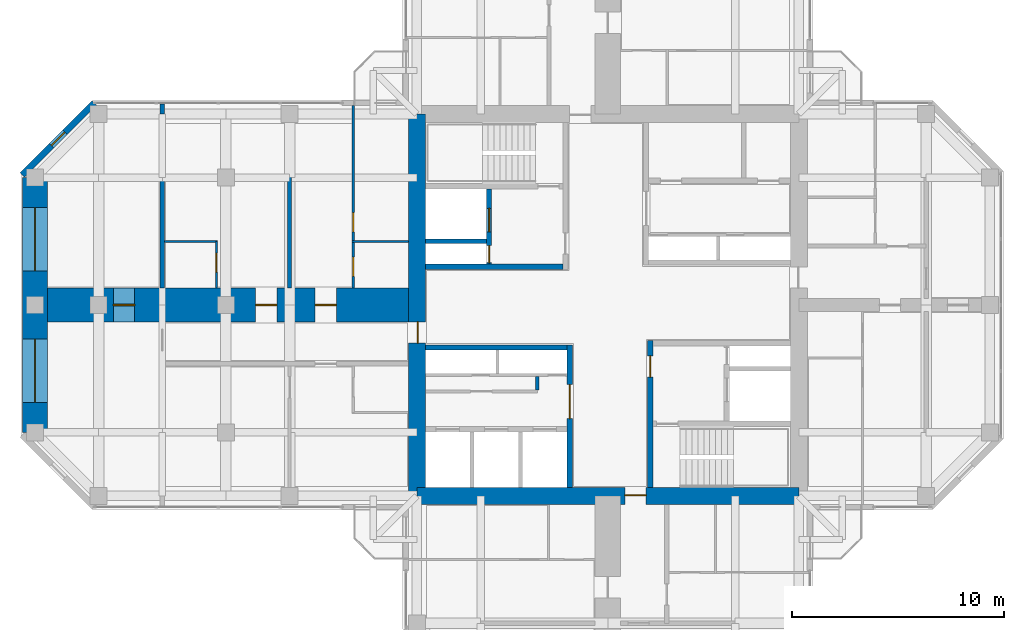
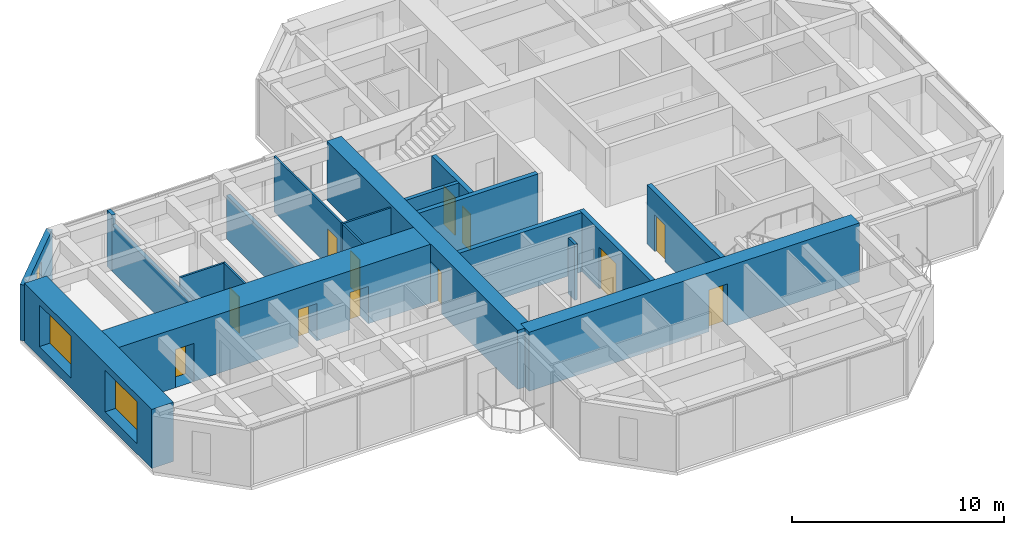
# One storey, part 9 of 13: 19 walls, 12 doors, 3 windows, 15 openings.
"""IFC4 building model written with IfcOpenShell, lengths in metres."""

import ifcopenshell
import ifcopenshell.guid

model = None  # the IFC model being written
_history = None  # IfcOwnerHistory: only IFC2X3 demands one
_inside = {}  # id of a spatial element -> (the spatial element, [elements in it])
_under = {}  # id of a project, library or spatial element -> (it, [spatial elements below it])
_declared = {}  # id of a project -> (the project, [libraries it declares])
_typed = {}  # id of a type object -> (the type object, [elements of that type])
_made_of = {}  # id of a material, layer set ... -> (it, [elements and type objects made of it])


def new_model(schema):
    """Start an empty IFC model of exactly this schema.

    Asked for "IFC4X3", IfcOpenShell would pick the latest addendum, in which some entities
    have other attributes; the version numbers below select the first issue.
    IFC2X3 requires an IfcOwnerHistory on every rooted entity: one is made here for all.
    """
    global model, _history
    if schema == "IFC4X3":
        model = ifcopenshell.file(schema_version=(4, 3, 0, 0))
    else:
        model = ifcopenshell.file(schema=schema)
    _inside.clear()
    _under.clear()
    _declared.clear()
    _typed.clear()
    _made_of.clear()
    _history = None
    if model.schema == "IFC2X3":
        org = make("IfcOrganization", Name="unknown")
        user = make(
            "IfcPersonAndOrganization",
            ThePerson=make("IfcPerson", FamilyName="unknown"),
            TheOrganization=org,
        )
        app = make(
            "IfcApplication",
            ApplicationDeveloper=org,
            Version="unknown",
            ApplicationFullName="unknown",
            ApplicationIdentifier="unknown",
        )
        _history = make(
            "IfcOwnerHistory",
            OwningUser=user,
            OwningApplication=app,
            ChangeAction="ADDED",
            CreationDate=0,
        )
    return model


def make(cls, **values):
    """One entity of the class cls with the attributes given. An attribute that is None is left unset."""
    return model.create_entity(
        cls, **{name: value for name, value in values.items() if value is not None}
    )


def rooted(cls, **values):
    """An entity with a GlobalId (a new one), such as an element, a storey or a relation."""
    return make(cls, GlobalId=ifcopenshell.guid.new(), OwnerHistory=_history, **values)


def si_unit(unit_type, name, prefix=None):
    """IfcSIUnit, for example si_unit("LENGTHUNIT", "METRE", prefix="MILLI")."""
    return make("IfcSIUnit", UnitType=unit_type, Prefix=prefix, Name=name)


def assignment(units):
    """IfcUnitAssignment: the units of a project."""
    return None if units is None else make("IfcUnitAssignment", Units=units)


def point(xyz):
    """IfcCartesianPoint."""
    return None if xyz is None else make("IfcCartesianPoint", Coordinates=xyz)


def direction(xyz):
    """IfcDirection."""
    return None if xyz is None else make("IfcDirection", DirectionRatios=xyz)


def frame(location, z_axis=None, x_axis=None):
    """IfcAxis2Placement3D, a coordinate frame: its origin and axes. An axis left out is left unset."""
    return make(
        "IfcAxis2Placement3D",
        Location=point(location),
        Axis=direction(z_axis),
        RefDirection=direction(x_axis),
    )


def frame_2d(location, x_axis=None):
    """IfcAxis2Placement2D, a coordinate frame in the plane: its origin and x axis."""
    return make(
        "IfcAxis2Placement2D", Location=point(location), RefDirection=direction(x_axis)
    )


def origin():
    """The frame at (0, 0, 0) with its axes left unset."""
    return frame((0.0, 0.0, 0.0))


def place(relative_to, where):
    """IfcLocalPlacement: puts the frame where relative to a parent placement (None: the world)."""
    return make(
        "IfcLocalPlacement", PlacementRelTo=relative_to, RelativePlacement=where
    )


def context(
    kind, dimensions, precision=None, world=None, true_north=None, identifier=None
):
    """IfcGeometricRepresentationContext, for example the 3D "Model" context."""
    return make(
        "IfcGeometricRepresentationContext",
        ContextIdentifier=identifier,
        ContextType=kind,
        CoordinateSpaceDimension=dimensions,
        Precision=precision,
        WorldCoordinateSystem=world,
        TrueNorth=true_north,
    )


def subcontext(parent, identifier, kind, view, scale=None):
    """IfcGeometricRepresentationSubContext, for example "Body" below "Model"."""
    return make(
        "IfcGeometricRepresentationSubContext",
        ContextIdentifier=identifier,
        ContextType=kind,
        ParentContext=parent,
        TargetScale=scale,
        TargetView=view,
    )


def project(units=None, contexts=None):
    """IfcProject with its units and contexts."""
    return rooted(
        "IfcProject",
        Name="project",
        RepresentationContexts=contexts,
        UnitsInContext=assignment(units),
    )


def spatial(cls, under=None, at=None, **own):
    """A site, building, storey or space (cls), placed at a placement, below another one or the project."""
    s = rooted(cls, ObjectPlacement=at, **own)
    if under is not None:
        _under.setdefault(under.id(), (under, []))[1].append(s)
    return s


def profile(cls, at=None, kind="AREA", **sizes):
    """A parametric profile (cls). Its sizes go by their IFC names, for example OverallWidth=200.0."""
    return make(cls, ProfileType=kind, Position=at, **sizes)


def rectangle(**sizes):
    """IfcRectangleProfileDef."""
    return profile("IfcRectangleProfileDef", **sizes)


def hollow_rectangle(**sizes):
    """IfcRectangleHollowProfileDef."""
    return profile("IfcRectangleHollowProfileDef", **sizes)


def extrude(swept, where, along, depth):
    """IfcExtrudedAreaSolid: the profile swept, set in the frame where, extruded along a direction by depth."""
    return make(
        "IfcExtrudedAreaSolid",
        SweptArea=swept,
        Position=where,
        ExtrudedDirection=direction(along),
        Depth=depth,
    )


def shape(context_of_items, identifier, shape_type, items):
    """IfcShapeRepresentation: the items that make up one representation, for example the "Body"."""
    return make(
        "IfcShapeRepresentation",
        ContextOfItems=context_of_items,
        RepresentationIdentifier=identifier,
        RepresentationType=shape_type,
        Items=items,
    )


def material(Name=None, Category=None):
    """IfcMaterial."""
    return make("IfcMaterial", Name=Name, Category=Category)


def layer(
    of_material, thickness, ventilated=None, Name=None, Category=None, Priority=None
):
    """IfcMaterialLayer: one layer of a wall or slab, of a material (None: an air gap)."""
    return make(
        "IfcMaterialLayer",
        Material=of_material,
        LayerThickness=thickness,
        IsVentilated=ventilated,
        Name=Name,
        Category=Category,
        Priority=Priority,
    )


def layer_set(layers, Name=None):
    """IfcMaterialLayerSet."""
    return make("IfcMaterialLayerSet", MaterialLayers=layers, LayerSetName=Name)


def constituent(of_material, Name=None, Category=None, fraction=None):
    """IfcMaterialConstituent: one of the materials an element consists of."""
    return make(
        "IfcMaterialConstituent",
        Name=Name,
        Material=of_material,
        Fraction=fraction,
        Category=Category,
    )


def constituent_set(constituents=None, Name=None):
    """IfcMaterialConstituentSet."""
    return make(
        "IfcMaterialConstituentSet", Name=Name, MaterialConstituents=constituents
    )


def made_of(thing, what):
    """Note that an element or type object is made of a material, layer set ...; save() writes the relation."""
    if what is not None:
        _made_of.setdefault(what.id(), (what, []))[1].append(thing)
    return thing


def type_object(cls, material=None, **own):
    """A type object (cls), such as IfcWallType, which elements share."""
    return made_of(rooted(cls, **own), material)


def element(
    cls,
    number,
    at=None,
    inside=None,
    cuts=None,
    type_object=None,
    material=None,
    context=None,
    identifier="Body",
    shape_type=None,
    held_by="IfcProductDefinitionShape",
    body=None,
    shapes=None,
    **own,
):
    """One element of the class cls, such as IfcWall. Its Tag is "e" and its number.

    at: its placement. inside: the storey or other place that contains it. cuts: it is an
    opening in that element (IfcRelVoidsElement). A single representation is given by context,
    identifier, shape_type and body (its items); several are given by shapes. held_by: the class
    of the entity that holds the representations. save() writes the other relations.
    """
    e = rooted(cls, Tag="e%d" % number, ObjectPlacement=at, **own)
    if body is not None:
        shapes = [shape(context, identifier, shape_type, body)]
    if shapes is not None:
        e.Representation = make(held_by, Representations=shapes)
    if inside is not None:
        _inside.setdefault(inside.id(), (inside, []))[1].append(e)
    if cuts is not None:
        rooted(
            "IfcRelVoidsElement", RelatingBuildingElement=cuts, RelatedOpeningElement=e
        )
    if type_object is not None:
        _typed.setdefault(type_object.id(), (type_object, []))[1].append(e)
    return made_of(e, material)


def fill(opening, filler):
    """IfcRelFillsElement: the door or window that sits in an opening."""
    return rooted(
        "IfcRelFillsElement",
        RelatingOpeningElement=opening,
        RelatedBuildingElement=filler,
    )


def aggregate(whole, parts):
    """IfcRelAggregates: a whole, such as a stair, and the parts it consists of."""
    return rooted("IfcRelAggregates", RelatingObject=whole, RelatedObjects=parts)


def save(model, path):
    """Write the relations noted so far, then the file.

    IfcRelAggregates (storeys below a building ...), IfcRelContainedInSpatialStructure (elements
    in a storey), IfcRelDefinesByType, IfcRelAssociatesMaterial and IfcRelDeclares: one each for
    every whole, place, type object, material and project.
    """
    for whole, parts in _under.values():
        aggregate(whole, parts)
    for where, things in _inside.values():
        rooted(
            "IfcRelContainedInSpatialStructure",
            RelatedElements=things,
            RelatingStructure=where,
        )
    for kind, things in _typed.values():
        rooted("IfcRelDefinesByType", RelatedObjects=things, RelatingType=kind)
    for what, things in _made_of.values():
        rooted("IfcRelAssociatesMaterial", RelatedObjects=things, RelatingMaterial=what)
    for by, libraries in _declared.values():
        rooted("IfcRelDeclares", RelatingContext=by, RelatedDefinitions=libraries)
    model.write(path)


model = new_model("IFC4")

# Units and contexts
model_context = context("Model", 3, precision=1e-05, world=origin(), true_north=direction((0.0, 1.0)))
body_context = subcontext(model_context, "Body", "Model", "MODEL_VIEW")
ifc_project = project(units=[si_unit("LENGTHUNIT", "METRE"), si_unit("AREAUNIT", "SQUARE_METRE"), si_unit("VOLUMEUNIT", "CUBIC_METRE"), si_unit("PLANEANGLEUNIT", "RADIAN"), si_unit("MASSUNIT", "GRAM", prefix="KILO")], contexts=[model_context])

# Site, building, storey
site_placement = place(None, origin())
site = spatial("IfcSite", under=ifc_project, at=site_placement, CompositionType="ELEMENT")
building_placement = place(site_placement, origin())
building = spatial("IfcBuilding", under=site, at=building_placement, Name="Torre Cruceta", CompositionType="ELEMENT")
storey_placement = place(building_placement, frame((0.0, 0.0, 235.699951171875)))
storey = spatial("IfcBuildingStorey", under=building, at=storey_placement, Name="L60", CompositionType="ELEMENT", Elevation=235.699951171875)

# Wall
ifc_material_1 = material(Name="Water-resistant plasterboard on steel studs", Category="steel")
ifc_layer_1 = layer(ifc_material_1, 0.10009765625)
ifc_layer_set_1 = layer_set([ifc_layer_1], Name="Water-resistant plasterboard on steel studs")
wall_type_1 = type_object("IfcWallType", Name="BATHROOM WALL 100", PredefinedType="PARTITIONING", material=ifc_layer_set_1)
wall_1_placement = place(storey_placement, frame((-9.39990234375, 3.0, 0.0), z_axis=(0.0, 0.0, 1.0), x_axis=(-1.0, 0.0, 0.0)))
element("IfcWall", 1, at=wall_1_placement, inside=storey, type_object=wall_type_1, Name="PT4 L60-W-U1RBB", PredefinedType="PARTITIONING", context=body_context, shape_type="SweptSolid", body=[
    extrude(rectangle(XDim=2.650146484375, YDim=0.10009765625, at=frame_2d((1.3251953125, 0.0))), origin(), (0.0, 0.0, 1.0), 3.219970703125),
])

# Wall, openings, doors
wall_2_placement = place(storey_placement, frame((-12.0, 9.39501953125, 0.0), z_axis=(0.0, 0.0, 1.0), x_axis=(0.0, -1.0, 0.0)))
wall_2 = element("IfcWall", 2, at=wall_2_placement, inside=storey, type_object=wall_type_1, Name="PT4 L60-W-U1RBS", PredefinedType="PARTITIONING", context=body_context, shape_type="SweptSolid", body=[
    extrude(rectangle(XDim=8.594970703125, YDim=0.10009765625, at=frame_2d((4.29736328125, 0.0))), origin(), (0.0, 0.0, 1.0), 3.219970703125),
])
opening_1_placement = place(wall_2_placement, frame((5.044921875, 0.0, 0.0)))
opening_1 = element("IfcOpeningElement", 3, at=opening_1_placement, cuts=wall_2, Name="Opening D7", PredefinedType="OPENING", context=body_context, shape_type="SweptSolid", body=[
    extrude(rectangle(XDim=0.89990234375, YDim=2.10009765625, at=frame_2d((0.449951171875, 1.050048828125))), frame((0.0, 0.06005859375, 0.0), z_axis=(0.0, -1.0, 0.0), x_axis=(1.0, 0.0, 0.0)), (0.0, 0.0, 1.0), 0.1201171875),
])
opening_2_placement = place(wall_2_placement, frame((7.14501953125, 0.0, 0.0)))
opening_2 = element("IfcOpeningElement", 4, at=opening_2_placement, cuts=wall_2, Name="Opening D7", PredefinedType="OPENING", context=body_context, shape_type="SweptSolid", body=[
    extrude(rectangle(XDim=0.89990234375, YDim=2.10009765625, at=frame_2d((0.449951171875, 1.050048828125))), frame((0.0, 0.06005859375, 0.0), z_axis=(0.0, -1.0, 0.0), x_axis=(1.0, 0.0, 0.0)), (0.0, 0.0, 1.0), 0.1201171875),
])
ifc_material_2 = material(Name="Timber door", Category="wood")
door_type_1 = type_object("IfcDoorType", Name="BATHROOM DOOR 900X2100", OperationType="SINGLE_SWING_LEFT", PredefinedType="DOOR", material=ifc_material_2)
door_1_placement = place(opening_1_placement, origin())
door_1 = element("IfcDoor", 5, at=door_1_placement, inside=storey, type_object=door_type_1, Name="D7 L60-W-U1RBS-D1", OperationType="SINGLE_SWING_RIGHT", OverallHeight=2.10009765625, OverallWidth=0.89990234375, PredefinedType="DOOR", context=body_context, shape_type="SweptSolid", body=[
    extrude(rectangle(XDim=0.89990234375, YDim=2.10009765625, at=frame_2d((0.449951171875, 1.050048828125))), frame((0.0, 0.02490234375, 0.0), z_axis=(0.0, -1.0, 0.0), x_axis=(1.0, 0.0, 0.0)), (0.0, 0.0, 1.0), 0.050048828125),
])
fill(opening_1, door_1)
door_2_placement = place(opening_2_placement, origin())
door_2 = element("IfcDoor", 6, at=door_2_placement, inside=storey, type_object=door_type_1, Name="D7 L60-W-U1RBS-D2", OperationType="SINGLE_SWING_RIGHT", OverallHeight=2.10009765625, OverallWidth=0.89990234375, PredefinedType="DOOR", context=body_context, shape_type="SweptSolid", body=[
    extrude(rectangle(XDim=0.89990234375, YDim=2.10009765625, at=frame_2d((0.449951171875, 1.050048828125))), frame((0.0, 0.02490234375, 0.0), z_axis=(0.0, -1.0, 0.0), x_axis=(1.0, 0.0, 0.0)), (0.0, 0.0, 1.0), 0.050048828125),
])
fill(opening_2, door_2)

# Wall
wall_3_placement = place(storey_placement, frame((-18.39990234375, 3.0, 0.0), z_axis=(0.0, 0.0, 1.0), x_axis=(-1.0, 0.0, 0.0)))
element("IfcWall", 7, at=wall_3_placement, inside=storey, type_object=wall_type_1, Name="PT4 L60-W-U2RBB", PredefinedType="PARTITIONING", context=body_context, shape_type="SweptSolid", body=[
    extrude(rectangle(XDim=2.5, YDim=0.10009765625, at=frame_2d((1.25, 0.0))), origin(), (0.0, 0.0, 1.0), 3.219970703125),
])

# Wall, opening, door
wall_4_placement = place(storey_placement, frame((-18.449951171875, 3.0, 0.0), z_axis=(0.0, 0.0, 1.0), x_axis=(0.0, -1.0, 0.0)))
wall_4 = element("IfcWall", 8, at=wall_4_placement, inside=storey, type_object=wall_type_1, Name="PT4 L60-W-U2RBS", PredefinedType="PARTITIONING", context=body_context, shape_type="SweptSolid", body=[
    extrude(rectangle(XDim=2.199951171875, YDim=0.10009765625, at=frame_2d((1.10009765625, 0.0))), origin(), (0.0, 0.0, 1.0), 3.219970703125),
])
opening_3_placement = place(wall_4_placement, frame((0.550048828125, 0.0, 0.0)))
opening_3 = element("IfcOpeningElement", 9, at=opening_3_placement, cuts=wall_4, Name="Opening D7", PredefinedType="OPENING", context=body_context, shape_type="SweptSolid", body=[
    extrude(rectangle(XDim=0.89990234375, YDim=2.10009765625, at=frame_2d((0.449951171875, 1.050048828125))), frame((0.0, 0.06005859375, 0.0), z_axis=(0.0, -1.0, 0.0), x_axis=(1.0, 0.0, 0.0)), (0.0, 0.0, 1.0), 0.1201171875),
])
door_3_placement = place(opening_3_placement, frame((0.89990234375, 0.0, 0.0), z_axis=(0.0, 0.0, 1.0), x_axis=(-1.0, 0.0, 0.0)))
door_3 = element("IfcDoor", 10, at=door_3_placement, inside=storey, type_object=door_type_1, Name="D7 L60-W-U2RBS-D1", OperationType="SINGLE_SWING_RIGHT", OverallHeight=2.10009765625, OverallWidth=0.89990234375, PredefinedType="DOOR", context=body_context, shape_type="SweptSolid", body=[
    extrude(rectangle(XDim=0.89990234375, YDim=2.10009765625, at=frame_2d((0.449951171875, 1.050048828125))), frame((0.0, 0.025146484375, 0.0), z_axis=(0.0, -1.0, 0.0), x_axis=(1.0, 0.0, 0.0)), (0.0, 0.0, 1.0), 0.050048828125),
])
fill(opening_3, door_3)

# Wall
ifc_material_3 = material(Name="Concrete G60 (fck 60 MPa)", Category="concrete")
ifc_layer_2 = layer(ifc_material_3, 0.25)
ifc_layer_set_2 = layer_set([ifc_layer_2], Name="Concrete G60 (fck 60 MPa)")
wall_type_2 = type_object("IfcWallType", Name="CORE INNER WALL 250 G60", PredefinedType="SHEAR", material=ifc_layer_set_2)
wall_5_placement = place(storey_placement, frame((-2.125, 1.800048828125, 0.0), z_axis=(0.0, 0.0, 1.0), x_axis=(-1.0, 0.0, 0.0)))
element("IfcWall", 11, at=wall_5_placement, inside=storey, type_object=wall_type_2, Name="CW4 L60 NW-CV", PredefinedType="SHEAR", context=body_context, shape_type="SweptSolid", body=[
    extrude(rectangle(XDim=6.47509765625, YDim=0.25, at=frame_2d((3.237548828125, 0.0))), origin(), (0.0, 0.0, 1.0), 3.400146484375),
])

# Wall, openings, doors
wall_6_placement = place(storey_placement, frame((-5.60009765625, 1.925048828125, 0.0), z_axis=(0.0, 0.0, 1.0), x_axis=(0.0, 1.0, 0.0)))
wall_6 = element("IfcWall", 12, at=wall_6_placement, inside=storey, type_object=wall_type_2, Name="CW4 L60 NW-FU", PredefinedType="SHEAR", context=body_context, shape_type="SweptSolid", body=[
    extrude(rectangle(XDim=3.550048828125, YDim=0.25, at=frame_2d((1.77490234375, 0.0))), origin(), (0.0, 0.0, 1.0), 3.400146484375),
])
opening_4_placement = place(wall_6_placement, frame((1.52490234375, 0.0, 0.0)))
opening_4 = element("IfcOpeningElement", 13, at=opening_4_placement, cuts=wall_6, Name="Opening LD1", PredefinedType="OPENING", context=body_context, shape_type="SweptSolid", body=[
    extrude(rectangle(XDim=1.10009765625, YDim=2.199951171875, at=frame_2d((0.550048828125, 1.10009765625))), frame((0.0, 0.135009765625, 0.0), z_axis=(0.0, -1.0, 0.0), x_axis=(1.0, 0.0, 0.0)), (0.0, 0.0, 1.0), 0.27001953125),
])
opening_5_placement = place(wall_6_placement, frame((0.074951171875, 0.0, 0.0)))
opening_5 = element("IfcOpeningElement", 14, at=opening_5_placement, cuts=wall_6, Name="Opening D5", PredefinedType="OPENING", context=body_context, shape_type="SweptSolid", body=[
    extrude(rectangle(XDim=0.800048828125, YDim=2.10009765625, at=frame_2d((0.39990234375, 1.050048828125))), frame((0.0, 0.135009765625, 0.0), z_axis=(0.0, -1.0, 0.0), x_axis=(1.0, 0.0, 0.0)), (0.0, 0.0, 1.0), 0.27001953125),
])
ifc_material_4 = material(Name="Stainless steel 1.4401", Category="steel")
door_type_2 = type_object("IfcDoorType", Name="LIFT LANDING DOOR 1100X2200", OperationType="DOUBLE_DOOR_SLIDING", PredefinedType="DOOR", material=ifc_material_4)
door_4_placement = place(opening_4_placement, origin())
door_4 = element("IfcDoor", 15, at=door_4_placement, inside=storey, type_object=door_type_2, Name="Lift landing door FL1", OperationType="DOUBLE_DOOR_SLIDING", OverallHeight=2.199951171875, OverallWidth=1.10009765625, PredefinedType="DOOR", context=body_context, shape_type="SweptSolid", body=[
    extrude(rectangle(XDim=1.10009765625, YDim=2.199951171875, at=frame_2d((0.550048828125, 1.10009765625))), frame((0.0, 0.02490234375, 0.0), z_axis=(0.0, -1.0, 0.0), x_axis=(1.0, 0.0, 0.0)), (0.0, 0.0, 1.0), 0.050048828125),
])
fill(opening_4, door_4)
ifc_material_5 = material(Name="Steel DX51D", Category="steel")
ifc_constituent_1 = constituent(ifc_material_5, Name="Leaf and frame")
ifc_material_6 = material(Name="Polyester powder coating", Category="paint")
ifc_constituent_2 = constituent(ifc_material_6, Name="Finish")
ifc_constituent_set_1 = constituent_set(constituents=[ifc_constituent_1, ifc_constituent_2], Name="Steel fire door")
door_type_3 = type_object("IfcDoorType", Name="RISER ACCESS DOOR 800X2100", OperationType="SINGLE_SWING_LEFT", PredefinedType="DOOR", material=ifc_constituent_set_1)
door_5_placement = place(opening_5_placement, origin())
door_5 = element("IfcDoor", 16, at=door_5_placement, inside=storey, type_object=door_type_3, Name="D5 L60 NW-RISER", OperationType="SINGLE_SWING_LEFT", OverallHeight=2.10009765625, OverallWidth=0.800048828125, PredefinedType="DOOR", context=body_context, shape_type="SweptSolid", body=[
    extrude(rectangle(XDim=0.800048828125, YDim=2.10009765625, at=frame_2d((0.39990234375, 1.050048828125))), frame((0.0, 0.02490234375, 0.0), z_axis=(0.0, -1.0, 0.0), x_axis=(1.0, 0.0, 0.0)), (0.0, 0.0, 1.0), 0.050048828125),
])
fill(opening_5, door_5)

# Wall, opening, door
wall_7_placement = place(storey_placement, frame((-1.800048828125, -1.875, 0.0), z_axis=(0.0, 0.0, 1.0), x_axis=(0.0, -1.0, 0.0)))
wall_7 = element("IfcWall", 17, at=wall_7_placement, inside=storey, type_object=wall_type_2, Name="CW4 L60 SW-CU", PredefinedType="SHEAR", context=body_context, shape_type="SweptSolid", body=[
    extrude(rectangle(XDim=6.72509765625, YDim=0.25, at=frame_2d((3.362548828125, 0.0))), origin(), (0.0, 0.0, 1.0), 3.400146484375),
])
opening_6_placement = place(wall_7_placement, frame((1.875, 0.0, 0.0)))
opening_6 = element("IfcOpeningElement", 18, at=opening_6_placement, cuts=wall_7, Name="Opening D8", PredefinedType="OPENING", context=body_context, shape_type="SweptSolid", body=[
    extrude(rectangle(XDim=1.60009765625, YDim=2.39990234375, at=frame_2d((0.800048828125, 1.199951171875))), frame((0.0, 0.135009765625, 0.0), z_axis=(0.0, -1.0, 0.0), x_axis=(1.0, 0.0, 0.0)), (0.0, 0.0, 1.0), 0.27001953125),
])
ifc_material_7 = material(Name="Steel DX51D", Category="steel")
ifc_constituent_3 = constituent(ifc_material_7, Name="Leaf and frame")
ifc_material_8 = material(Name="Polyester powder coating", Category="paint")
ifc_constituent_4 = constituent(ifc_material_8, Name="Finish")
ifc_material_9 = material(Name="Fire-resisting glass", Category="glass")
ifc_constituent_5 = constituent(ifc_material_9, Name="Vision panel")
ifc_constituent_set_2 = constituent_set(constituents=[ifc_constituent_3, ifc_constituent_4, ifc_constituent_5], Name="Steel fire door with vision panels")
door_type_4 = type_object("IfcDoorType", Name="LIFT LOBBY DOUBLE DOOR 1600X2400", OperationType="DOUBLE_DOOR_DOUBLE_SWING", PredefinedType="DOOR", material=ifc_constituent_set_2)
door_6_placement = place(opening_6_placement, origin())
door_6 = element("IfcDoor", 19, at=door_6_placement, inside=storey, type_object=door_type_4, Name="D8 L60 SW-LOBBY", OperationType="DOUBLE_DOOR_DOUBLE_SWING", OverallHeight=2.39990234375, OverallWidth=1.60009765625, PredefinedType="DOOR", context=body_context, shape_type="SweptSolid", body=[
    extrude(rectangle(XDim=1.60009765625, YDim=2.39990234375, at=frame_2d((0.800048828125, 1.199951171875))), frame((0.0, 0.02490234375, 0.0), z_axis=(0.0, -1.0, 0.0), x_axis=(1.0, 0.0, 0.0)), (0.0, 0.0, 1.0), 0.050048828125),
])
fill(opening_6, door_6)

# Wall
wall_8_placement = place(storey_placement, frame((-1.925048828125, -2.0, 0.0), z_axis=(0.0, 0.0, 1.0), x_axis=(-1.0, 0.0, 0.0)))
element("IfcWall", 20, at=wall_8_placement, inside=storey, type_object=wall_type_2, Name="CW4 L60 SW-CV", PredefinedType="SHEAR", context=body_context, shape_type="SweptSolid", body=[
    extrude(rectangle(XDim=6.675048828125, YDim=0.25, at=frame_2d((3.33740234375, 0.0))), origin(), (0.0, 0.0, 1.0), 3.400146484375),
])

# Wall, opening, door
wall_9_placement = place(storey_placement, frame((2.0, -1.675048828125, 0.0), z_axis=(0.0, 0.0, 1.0), x_axis=(0.0, -1.0, 0.0)))
wall_9 = element("IfcWall", 21, at=wall_9_placement, inside=storey, type_object=wall_type_2, Name="CW4 L60 SE-CU", PredefinedType="SHEAR", context=body_context, shape_type="SweptSolid", body=[
    extrude(rectangle(XDim=6.925048828125, YDim=0.25, at=frame_2d((3.46240234375, 0.0))), origin(), (0.0, 0.0, 1.0), 3.400146484375),
])
opening_7_placement = place(wall_9_placement, frame((0.72509765625, 0.0, 0.0)))
opening_7 = element("IfcOpeningElement", 22, at=opening_7_placement, cuts=wall_9, Name="Opening D3", PredefinedType="OPENING", context=body_context, shape_type="SweptSolid", body=[
    extrude(rectangle(XDim=1.0, YDim=2.10009765625, at=frame_2d((0.5, 1.050048828125))), frame((0.0, 0.135009765625, 0.0), z_axis=(0.0, -1.0, 0.0), x_axis=(1.0, 0.0, 0.0)), (0.0, 0.0, 1.0), 0.27001953125),
])
ifc_material_10 = material(Name="Steel DX51D", Category="steel")
ifc_constituent_6 = constituent(ifc_material_10, Name="Leaf and frame")
ifc_material_11 = material(Name="Polyester powder coating", Category="paint")
ifc_constituent_7 = constituent(ifc_material_11, Name="Finish")
ifc_constituent_set_3 = constituent_set(constituents=[ifc_constituent_6, ifc_constituent_7], Name="Steel fire door")
door_type_5 = type_object("IfcDoorType", Name="FIRE DOOR 1000X2100", OperationType="SINGLE_SWING_LEFT", PredefinedType="DOOR", material=ifc_constituent_set_3)
door_7_placement = place(opening_7_placement, origin())
door_7 = element("IfcDoor", 23, at=door_7_placement, inside=storey, type_object=door_type_5, Name="D3 L60 SE-LOBBY", OperationType="SINGLE_SWING_LEFT", OverallHeight=2.10009765625, OverallWidth=1.0, PredefinedType="DOOR", context=body_context, shape_type="SweptSolid", body=[
    extrude(rectangle(XDim=1.0, YDim=2.10009765625, at=frame_2d((0.5, 1.050048828125))), frame((0.0, 0.02490234375, 0.0), z_axis=(0.0, -1.0, 0.0), x_axis=(1.0, 0.0, 0.0)), (0.0, 0.0, 1.0), 0.050048828125),
])
fill(opening_7, door_7)

ifc_material_12 = material(Name="Concrete G60 (fck 60 MPa)", Category="concrete")
ifc_layer_3 = layer(ifc_material_12, 0.800048828125)
ifc_layer_set_3 = layer_set([ifc_layer_3], Name="Concrete G60 (fck 60 MPa)")
wall_type_3 = type_object("IfcWallType", Name="CORE WALL 800 G60", PredefinedType="SHEAR", material=ifc_layer_set_3)
wall_10_placement = place(storey_placement, frame((-9.0, -9.0, 0.0), z_axis=(0.0, 0.0, 1.0), x_axis=(1.0, 0.0, 0.0)))
wall_10 = element("IfcWall", 24, at=wall_10_placement, inside=storey, type_object=wall_type_3, Name="CW3 L60 CW-S", PredefinedType="SHEAR", context=body_context, shape_type="SweptSolid", body=[
    extrude(rectangle(XDim=18.0, YDim=0.800048828125, at=frame_2d((9.0, 0.0))), origin(), (0.0, 0.0, 1.0), 3.400146484375),
])
opening_8_placement = place(wall_10_placement, frame((9.800048828125, 0.0, 0.0)))
opening_8 = element("IfcOpeningElement", 25, at=opening_8_placement, cuts=wall_10, Name="Opening D4", PredefinedType="OPENING", context=body_context, shape_type="SweptSolid", body=[
    extrude(rectangle(XDim=1.0, YDim=2.39990234375, at=frame_2d((0.5, 1.199951171875))), frame((0.0, 0.409912109375, 0.0), z_axis=(0.0, -1.0, 0.0), x_axis=(1.0, 0.0, 0.0)), (0.0, 0.0, 1.0), 0.820068359375),
])
ifc_material_13 = material(Name="Steel DX51D", Category="steel")
ifc_constituent_8 = constituent(ifc_material_13, Name="Leaf and frame")
ifc_material_14 = material(Name="Polyester powder coating", Category="paint")
ifc_constituent_9 = constituent(ifc_material_14, Name="Finish")
ifc_constituent_set_4 = constituent_set(constituents=[ifc_constituent_8, ifc_constituent_9], Name="Steel fire door")
door_type_6 = type_object("IfcDoorType", Name="CORE ARM DOOR 1000X2400", OperationType="SINGLE_SWING_RIGHT", PredefinedType="DOOR", material=ifc_constituent_set_4)
door_8_placement = place(opening_8_placement, origin())
door_8 = element("IfcDoor", 26, at=door_8_placement, inside=storey, type_object=door_type_6, Name="D4 L60 CW-S", OperationType="SINGLE_SWING_RIGHT", OverallHeight=2.39990234375, OverallWidth=1.0, PredefinedType="DOOR", context=body_context, shape_type="SweptSolid", body=[
    extrude(rectangle(XDim=1.0, YDim=2.39990234375, at=frame_2d((0.5, 1.199951171875))), frame((0.0, 0.05517578125, 0.0), z_axis=(0.0, -1.0, 0.0), x_axis=(1.0, 0.0, 0.0)), (0.0, 0.0, 1.0), 0.050048828125),
])
fill(opening_8, door_8)

wall_11_placement = place(storey_placement, frame((-9.0, 9.0, 0.0), z_axis=(0.0, 0.0, 1.0), x_axis=(0.0, -1.0, 0.0)))
wall_11 = element("IfcWall", 27, at=wall_11_placement, inside=storey, type_object=wall_type_3, Name="CW3 L60 CW-W", PredefinedType="SHEAR", context=body_context, shape_type="SweptSolid", body=[
    extrude(rectangle(XDim=18.0, YDim=0.800048828125, at=frame_2d((9.0, 0.0))), origin(), (0.0, 0.0, 1.0), 3.400146484375),
])
opening_9_placement = place(wall_11_placement, frame((9.800048828125, 0.0, 0.0)))
opening_9 = element("IfcOpeningElement", 28, at=opening_9_placement, cuts=wall_11, Name="Opening D4", PredefinedType="OPENING", context=body_context, shape_type="SweptSolid", body=[
    extrude(rectangle(XDim=1.0, YDim=2.39990234375, at=frame_2d((0.5, 1.199951171875))), frame((0.0, 0.409912109375, 0.0), z_axis=(0.0, -1.0, 0.0), x_axis=(1.0, 0.0, 0.0)), (0.0, 0.0, 1.0), 0.820068359375),
])
door_9_placement = place(opening_9_placement, origin())
door_9 = element("IfcDoor", 29, at=door_9_placement, inside=storey, type_object=door_type_6, Name="D4 L60 CW-W", OperationType="SINGLE_SWING_RIGHT", OverallHeight=2.39990234375, OverallWidth=1.0, PredefinedType="DOOR", context=body_context, shape_type="SweptSolid", body=[
    extrude(rectangle(XDim=1.0, YDim=2.39990234375, at=frame_2d((0.5, 1.199951171875))), frame((0.0, 0.05517578125, 0.0), z_axis=(0.0, -1.0, 0.0), x_axis=(1.0, 0.0, 0.0)), (0.0, 0.0, 1.0), 0.050048828125),
])
fill(opening_9, door_9)

# Wall, opening, window
ifc_material_15 = material(Name="Concrete G30 (fck 30 MPa)", Category="concrete")
ifc_layer_4 = layer(ifc_material_15, 0.300048828125)
ifc_layer_set_4 = layer_set([ifc_layer_4], Name="Concrete G30 (fck 30 MPa)")
wall_type_4 = type_object("IfcWallType", Name="EXPOSED CONCRETE FACADE WALL 300", PredefinedType="SOLIDWALL", material=ifc_layer_set_4)
wall_12_placement = place(storey_placement, frame((-24.21533203125, 9.52001953125, 0.0), z_axis=(0.0, 0.0, 1.0), x_axis=(-0.707132283189, -0.707081278264, 0.0)))
wall_12 = element("IfcWall", 30, at=wall_12_placement, inside=storey, type_object=wall_type_4, Name="EW1 facade wall L60 W chamfer 11", PredefinedType="SOLIDWALL", context=body_context, shape_type="SweptSolid", body=[
    extrude(rectangle(XDim=4.78662109375, YDim=0.300048828125, at=frame_2d((2.393310546875, 0.0))), origin(), (0.0, 0.0, 1.0), 3.219970703125),
])
opening_10_placement = place(wall_12_placement, frame((1.943359375, 0.0, 0.300048828125)))
opening_10 = element("IfcOpeningElement", 31, at=opening_10_placement, cuts=wall_12, Name="Opening WN5", PredefinedType="OPENING", context=body_context, shape_type="SweptSolid", body=[
    extrude(rectangle(XDim=0.89990234375, YDim=2.39990234375, at=frame_2d((0.449951171875, 1.199951171875))), frame((0.0, 0.159912109375, 0.0), z_axis=(0.0, -1.0, 0.0), x_axis=(1.0, 0.0, 0.0)), (0.0, 0.0, 1.0), 0.320068359375),
])
ifc_material_16 = material(Name="Aluminium window frame", Category="aluminium")
ifc_constituent_10 = constituent(ifc_material_16, Name="Frame")
ifc_material_17 = material(Name="Laminated insulating glass unit, low-iron clear", Category="glass")
ifc_constituent_11 = constituent(ifc_material_17, Name="Glazing")
ifc_constituent_set_5 = constituent_set(constituents=[ifc_constituent_10, ifc_constituent_11], Name="Aluminium window")
window_type_1 = type_object("IfcWindowType", Name="CHAMFER SLOT WINDOW 900X2400", PartitioningType="SINGLE_PANEL", PredefinedType="WINDOW", material=ifc_constituent_set_5)
window_1_placement = place(opening_10_placement, origin())
window_1 = element("IfcWindow", 32, at=window_1_placement, inside=storey, type_object=window_type_1, Name="WN5 L60 W 1", OverallHeight=2.39990234375, OverallWidth=0.89990234375, PartitioningType="SINGLE_PANEL", PredefinedType="WINDOW", context=body_context, shape_type="SweptSolid", body=[
    extrude(hollow_rectangle(XDim=0.89990234375, YDim=2.39990234375, WallThickness=0.06005859375, at=frame_2d((0.449951171875, 1.199951171875))), frame((0.0, 0.030029296875, 0.0), z_axis=(0.0, -1.0, 0.0), x_axis=(1.0, 0.0, 0.0)), (0.0, 0.0, 1.0), 0.06005859375),
    extrude(rectangle(XDim=0.77880859375, YDim=2.27880859375, at=frame_2d((0.449951171875, 1.199951171875))), frame((0.0, 0.030029296875, 0.0), z_axis=(0.0, -1.0, 0.0), x_axis=(1.0, 0.0, 0.0)), (0.0, 0.0, 1.0), 0.06005859375),
])
fill(opening_10, window_1)

# Wall
ifc_material_18 = material(Name="Concrete G35 (fck 35 MPa)", Category="concrete")
ifc_layer_5 = layer(ifc_material_18, 0.199951171875)
ifc_layer_set_5 = layer_set([ifc_layer_5], Name="Concrete G35 (fck 35 MPa)")
wall_type_5 = type_object("IfcWallType", Name="LIFT SHAFT WALL 200", PredefinedType="PARTITIONING", material=ifc_layer_set_5)
wall_13_placement = place(storey_placement, frame((-5.72509765625, 3.0, 0.0), z_axis=(0.0, 0.0, 1.0), x_axis=(-1.0, 0.0, 0.0)))
element("IfcWall", 33, at=wall_13_placement, inside=storey, type_object=wall_type_5, Name="SW1 L60 NW-FR", PredefinedType="PARTITIONING", context=body_context, shape_type="SweptSolid", body=[
    extrude(rectangle(XDim=2.875, YDim=0.199951171875, at=frame_2d((1.4375, 0.0))), origin(), (0.0, 0.0, 1.0), 3.400146484375),
])

# Wall, openings, windows
ifc_material_19 = material(Name="Concrete G60 (fck 60 MPa)", Category="concrete")
ifc_layer_6 = layer(ifc_material_19, 1.199951171875)
ifc_layer_set_6 = layer_set([ifc_layer_6], Name="Concrete G60 (fck 60 MPa)")
wall_type_6 = type_object("IfcWallType", Name="NOSE WALL 1200 G60", PredefinedType="SHEAR", material=ifc_layer_set_6)
wall_14_placement = place(storey_placement, frame((-27.0, 6.0, 0.0), z_axis=(0.0, 0.0, 1.0), x_axis=(0.0, -1.0, 0.0)))
wall_14 = element("IfcWall", 34, at=wall_14_placement, inside=storey, type_object=wall_type_6, Name="NW1 nose wall L60 W", PredefinedType="SHEAR", context=body_context, shape_type="SweptSolid", body=[
    extrude(rectangle(XDim=12.0, YDim=1.199951171875, at=frame_2d((6.0, 0.0))), origin(), (0.0, 0.0, 1.0), 3.400146484375),
])
opening_11_placement = place(wall_14_placement, frame((1.39990234375, 0.0, 0.60009765625)))
opening_11 = element("IfcOpeningElement", 35, at=opening_11_placement, cuts=wall_14, Name="Opening WN6", PredefinedType="OPENING", context=body_context, shape_type="SweptSolid", body=[
    extrude(rectangle(XDim=3.0, YDim=2.39990234375, at=frame_2d((1.5, 1.199951171875))), frame((0.0, 0.60986328125, 0.0), z_axis=(0.0, -1.0, 0.0), x_axis=(1.0, 0.0, 0.0)), (0.0, 0.0, 1.0), 1.219970703125),
])
opening_12_placement = place(wall_14_placement, frame((7.60009765625, 0.0, 0.60009765625)))
opening_12 = element("IfcOpeningElement", 36, at=opening_12_placement, cuts=wall_14, Name="Opening WN6", PredefinedType="OPENING", context=body_context, shape_type="SweptSolid", body=[
    extrude(rectangle(XDim=3.0, YDim=2.39990234375, at=frame_2d((1.5, 1.199951171875))), frame((0.0, 0.60986328125, 0.0), z_axis=(0.0, -1.0, 0.0), x_axis=(1.0, 0.0, 0.0)), (0.0, 0.0, 1.0), 1.219970703125),
])
ifc_material_20 = material(Name="Aluminium window frame", Category="aluminium")
ifc_constituent_12 = constituent(ifc_material_20, Name="Frame")
ifc_material_21 = material(Name="Laminated insulating glass unit, low-iron clear", Category="glass")
ifc_constituent_13 = constituent(ifc_material_21, Name="Glazing")
ifc_constituent_set_6 = constituent_set(constituents=[ifc_constituent_12, ifc_constituent_13], Name="Aluminium window")
window_type_2 = type_object("IfcWindowType", Name="NOSE WALL WINDOW 3000X2400", PartitioningType="SINGLE_PANEL", PredefinedType="WINDOW", material=ifc_constituent_set_6)
window_2_placement = place(opening_11_placement, origin())
window_2 = element("IfcWindow", 37, at=window_2_placement, inside=storey, type_object=window_type_2, Name="WN6 L60 W 1", OverallHeight=2.39990234375, OverallWidth=3.0, PartitioningType="SINGLE_PANEL", PredefinedType="WINDOW", context=body_context, shape_type="SweptSolid", body=[
    extrude(hollow_rectangle(XDim=3.0, YDim=2.39990234375, WallThickness=0.06005859375, at=frame_2d((1.5, 1.199951171875))), frame((0.0, 0.030029296875, 0.0), z_axis=(0.0, -1.0, 0.0), x_axis=(1.0, 0.0, 0.0)), (0.0, 0.0, 1.0), 0.06005859375),
    extrude(rectangle(XDim=2.87890625, YDim=2.27880859375, at=frame_2d((1.5, 1.199951171875))), frame((0.0, 0.030029296875, 0.0), z_axis=(0.0, -1.0, 0.0), x_axis=(1.0, 0.0, 0.0)), (0.0, 0.0, 1.0), 0.06005859375),
])
fill(opening_11, window_2)
window_3_placement = place(opening_12_placement, origin())
window_3 = element("IfcWindow", 38, at=window_3_placement, inside=storey, type_object=window_type_2, Name="WN6 L60 W 2", OverallHeight=2.39990234375, OverallWidth=3.0, PartitioningType="SINGLE_PANEL", PredefinedType="WINDOW", context=body_context, shape_type="SweptSolid", body=[
    extrude(hollow_rectangle(XDim=3.0, YDim=2.39990234375, WallThickness=0.06005859375, at=frame_2d((1.5, 1.199951171875))), frame((0.0, 0.030029296875, 0.0), z_axis=(0.0, -1.0, 0.0), x_axis=(1.0, 0.0, 0.0)), (0.0, 0.0, 1.0), 0.06005859375),
    extrude(rectangle(XDim=2.87890625, YDim=2.27880859375, at=frame_2d((1.5, 1.199951171875))), frame((0.0, 0.030029296875, 0.0), z_axis=(0.0, -1.0, 0.0), x_axis=(1.0, 0.0, 0.0)), (0.0, 0.0, 1.0), 0.06005859375),
])
fill(opening_12, window_3)

# Wall
ifc_material_22 = material(Name="Plasterboard on steel studs", Category="steel")
ifc_layer_7 = layer(ifc_material_22, 0.14990234375)
ifc_layer_set_7 = layer_set([ifc_layer_7], Name="Plasterboard on steel studs")
wall_type_7 = type_object("IfcWallType", Name="PARTITION 150", PredefinedType="PARTITIONING", material=ifc_layer_set_7)
wall_15_placement = place(storey_placement, frame((-3.324951171875, -3.375, 0.0), z_axis=(0.0, 0.0, 1.0), x_axis=(0.0, -1.0, 0.0)))
element("IfcWall", 39, at=wall_15_placement, inside=storey, type_object=wall_type_7, Name="PT1 L60-CORE-SW-CUPBOARDE", PredefinedType="PARTITIONING", context=body_context, shape_type="SweptSolid", body=[
    extrude(rectangle(XDim=0.625, YDim=0.14990234375, at=frame_2d((0.3125, 0.0))), origin(), (0.0, 0.0, 1.0), 3.219970703125),
])

# Wall, openings, doors
ifc_material_23 = material(Name="Concrete G60 (fck 60 MPa)", Category="concrete")
ifc_layer_8 = layer(ifc_material_23, 1.60009765625)
ifc_layer_set_8 = layer_set([ifc_layer_8], Name="Concrete G60 (fck 60 MPa)")
wall_type_8 = type_object("IfcWallType", Name="SPINE WALL 1600 G60", PredefinedType="SHEAR", material=ifc_layer_set_8)
wall_16_placement = place(storey_placement, frame((-9.0, 0.0, 0.0), z_axis=(0.0, 0.0, 1.0), x_axis=(-1.0, 0.0, 0.0)))
wall_16 = element("IfcWall", 40, at=wall_16_placement, inside=storey, type_object=wall_type_8, Name="SW2 spine wall L60 W", PredefinedType="SHEAR", context=body_context, shape_type="SweptSolid", body=[
    extrude(rectangle(XDim=18.0, YDim=1.60009765625, at=frame_2d((9.0, 0.0))), origin(), (0.0, 0.0, 1.0), 3.400146484375),
])
opening_13_placement = place(wall_16_placement, frame((3.800048828125, 0.0, 0.0)))
opening_13 = element("IfcOpeningElement", 41, at=opening_13_placement, cuts=wall_16, Name="Opening D6", PredefinedType="OPENING", context=body_context, shape_type="SweptSolid", body=[
    extrude(rectangle(XDim=1.0, YDim=2.14990234375, at=frame_2d((0.5, 1.074951171875))), frame((0.0, 0.81005859375, 0.0), z_axis=(0.0, -1.0, 0.0), x_axis=(1.0, 0.0, 0.0)), (0.0, 0.0, 1.0), 1.6201171875),
])
opening_14_placement = place(wall_16_placement, frame((6.60009765625, 0.0, 0.0)))
opening_14 = element("IfcOpeningElement", 42, at=opening_14_placement, cuts=wall_16, Name="Opening D6", PredefinedType="OPENING", context=body_context, shape_type="SweptSolid", body=[
    extrude(rectangle(XDim=1.0, YDim=2.14990234375, at=frame_2d((0.5, 1.074951171875))), frame((0.0, 0.81005859375, 0.0), z_axis=(0.0, -1.0, 0.0), x_axis=(1.0, 0.0, 0.0)), (0.0, 0.0, 1.0), 1.6201171875),
])
opening_15_placement = place(wall_16_placement, frame((13.300048828125, 0.0, 0.0)))
opening_15 = element("IfcOpeningElement", 43, at=opening_15_placement, cuts=wall_16, Name="Opening D14", PredefinedType="OPENING", context=body_context, shape_type="SweptSolid", body=[
    extrude(rectangle(XDim=1.0, YDim=2.199951171875, at=frame_2d((0.5, 1.10009765625))), frame((0.0, 0.81005859375, 0.0), z_axis=(0.0, -1.0, 0.0), x_axis=(1.0, 0.0, 0.0)), (0.0, 0.0, 1.0), 1.6201171875),
])
ifc_material_24 = material(Name="Steel DX51D", Category="steel")
ifc_constituent_14 = constituent(ifc_material_24, Name="Leaf and frame")
ifc_material_25 = material(Name="Polyester powder coating", Category="paint")
ifc_constituent_15 = constituent(ifc_material_25, Name="Finish")
ifc_material_26 = material(Name="Fire-resisting glass", Category="glass")
ifc_constituent_16 = constituent(ifc_material_26, Name="Vision panel")
ifc_constituent_set_7 = constituent_set(constituents=[ifc_constituent_14, ifc_constituent_15, ifc_constituent_16], Name="Steel fire door with vision panel")
door_type_7 = type_object("IfcDoorType", Name="FIRE DOOR VISION PANEL 1000X2200", OperationType="SINGLE_SWING_RIGHT", PredefinedType="DOOR", material=ifc_constituent_set_7)
door_10_placement = place(opening_15_placement, origin())
door_10 = element("IfcDoor", 44, at=door_10_placement, inside=storey, type_object=door_type_7, Name="D14 L60-W-SP3", OperationType="SINGLE_SWING_LEFT", OverallHeight=2.199951171875, OverallWidth=1.0, PredefinedType="DOOR", context=body_context, shape_type="SweptSolid", body=[
    extrude(rectangle(XDim=1.0, YDim=2.199951171875, at=frame_2d((0.5, 1.10009765625))), frame((0.0, 0.02490234375, 0.0), z_axis=(0.0, -1.0, 0.0), x_axis=(1.0, 0.0, 0.0)), (0.0, 0.0, 1.0), 0.050048828125),
])
fill(opening_15, door_10)
ifc_material_27 = material(Name="Timber fire door", Category="wood")
door_type_8 = type_object("IfcDoorType", Name="UNIT ENTRANCE DOOR 1000X2150", OperationType="SINGLE_SWING_LEFT", PredefinedType="DOOR", material=ifc_material_27)
door_11_placement = place(opening_13_placement, frame((1.0, 0.0, 0.0), z_axis=(0.0, 0.0, 1.0), x_axis=(-1.0, 0.0, 0.0)))
door_11 = element("IfcDoor", 45, at=door_11_placement, inside=storey, type_object=door_type_8, Name="D6 L60-W-SP1", OperationType="SINGLE_SWING_RIGHT", OverallHeight=2.14990234375, OverallWidth=1.0, PredefinedType="DOOR", context=body_context, shape_type="SweptSolid", body=[
    extrude(rectangle(XDim=1.0, YDim=2.14990234375, at=frame_2d((0.5, 1.074951171875))), frame((0.0, 0.025146484375, 0.0), z_axis=(0.0, -1.0, 0.0), x_axis=(1.0, 0.0, 0.0)), (0.0, 0.0, 1.0), 0.050048828125),
])
fill(opening_13, door_11)
door_12_placement = place(opening_14_placement, frame((1.0, 0.0, 0.0), z_axis=(0.0, 0.0, 1.0), x_axis=(-1.0, 0.0, 0.0)))
door_12 = element("IfcDoor", 46, at=door_12_placement, inside=storey, type_object=door_type_8, Name="D6 L60-W-SP2", OperationType="SINGLE_SWING_RIGHT", OverallHeight=2.14990234375, OverallWidth=1.0, PredefinedType="DOOR", context=body_context, shape_type="SweptSolid", body=[
    extrude(rectangle(XDim=1.0, YDim=2.14990234375, at=frame_2d((0.5, 1.074951171875))), frame((0.0, 0.025146484375, 0.0), z_axis=(0.0, -1.0, 0.0), x_axis=(1.0, 0.0, 0.0)), (0.0, 0.0, 1.0), 0.050048828125),
])
fill(opening_14, door_12)

# Walls
ifc_material_28 = material(Name="Concrete G25 (fck 25 MPa)", Category="concrete")
ifc_layer_9 = layer(ifc_material_28, 0.199951171875)
ifc_layer_set_9 = layer_set([ifc_layer_9], Name="Concrete G25 (fck 25 MPa)")
wall_type_9 = type_object("IfcWallType", Name="UNIT SEPARATING WALL 200", PredefinedType="SOLIDWALL", material=ifc_layer_set_9)
wall_17_placement = place(storey_placement, frame((-15.0, 8.60009765625, 0.0), z_axis=(0.0, 0.0, 1.0), x_axis=(0.0, -1.0, 0.0)))
element("IfcWall", 47, at=wall_17_placement, inside=storey, type_object=wall_type_9, Name="PT2 L60-W-P1R", PredefinedType="SOLIDWALL", context=body_context, shape_type="SweptSolid", body=[
    extrude(rectangle(XDim=7.800048828125, YDim=0.199951171875, at=frame_2d((3.89990234375, 0.0))), origin(), (0.0, 0.0, 1.0), 2.52001953125),
])
wall_18_placement = place(storey_placement, frame((-21.0, 9.47998046875, 0.0), z_axis=(0.0, 0.0, 1.0), x_axis=(0.0, -1.0, 0.0)))
element("IfcWall", 48, at=wall_18_placement, inside=storey, type_object=wall_type_9, Name="PT2 L60-W-ENDa", PredefinedType="SOLIDWALL", context=body_context, shape_type="SweptSolid", body=[
    extrude(rectangle(XDim=0.47998046875, YDim=0.199951171875, at=frame_2d((0.239990234375, 0.0))), origin(), (0.0, 0.0, 1.0), 3.219970703125),
])
wall_19_placement = place(storey_placement, frame((-21.0, 9.0, 0.0), z_axis=(0.0, 0.0, 1.0), x_axis=(0.0, -1.0, 0.0)))
element("IfcWall", 49, at=wall_19_placement, inside=storey, type_object=wall_type_9, Name="PT2 L60-W-ENDa 2", PredefinedType="SOLIDWALL", context=body_context, shape_type="SweptSolid", body=[
    extrude(rectangle(XDim=8.199951171875, YDim=0.199951171875, at=frame_2d((4.10009765625, 0.0))), origin(), (0.0, 0.0, 1.0), 2.670166015625),
])

save(model, "model.ifc")
